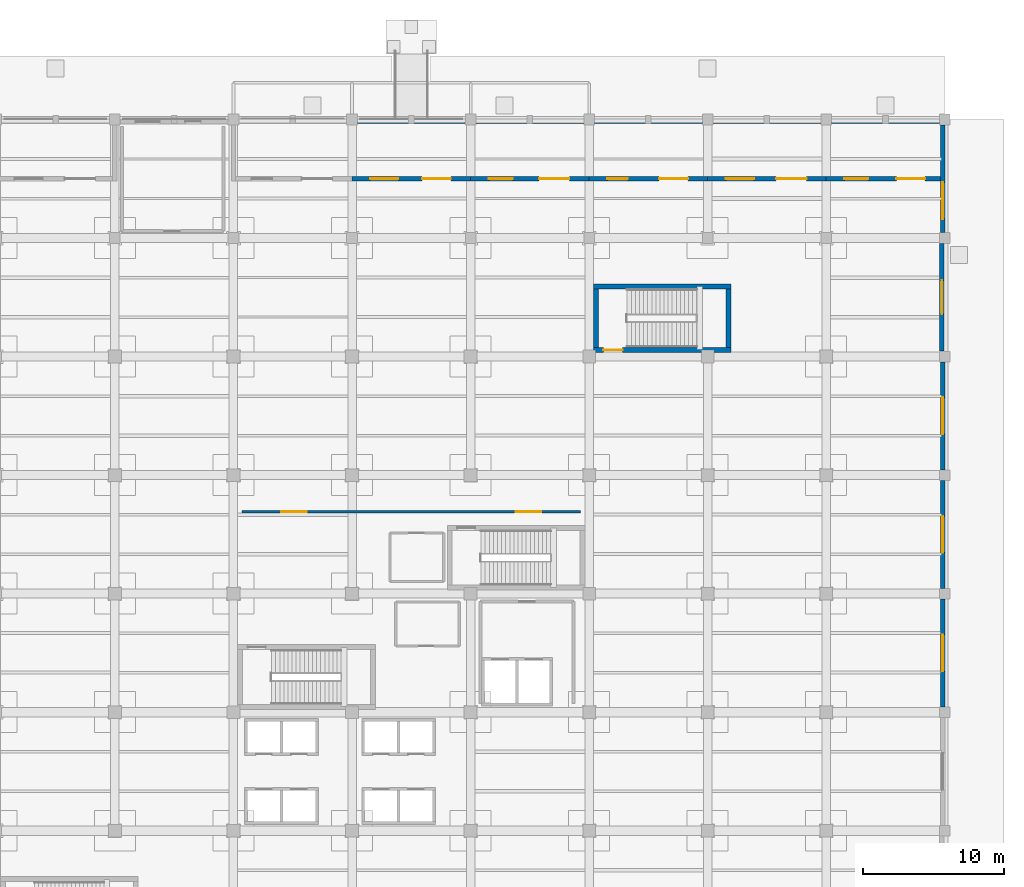
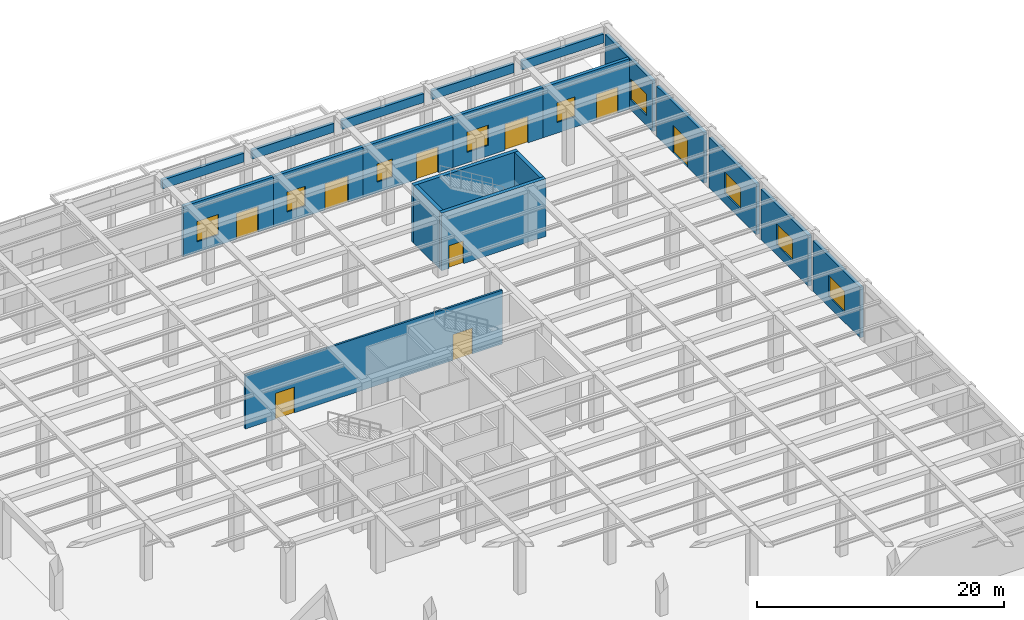
# One storey, part 31 of 43: 20 walls, 9 doors, 9 windows, 18 openings.
"""IFC4 building model written with IfcOpenShell, lengths in metres."""

from ifc_helpers import new_model, si_unit, direction, frame, frame_2d, origin, place, context, subcontext, project, spatial, rectangle, extrude, material, layer, layer_set, type_object, element, fill, save


model = new_model("IFC4")

# Units and contexts
model_context = context("Model", 3, precision=1e-05, world=origin(), true_north=direction((0.0, 1.0)))
body_context = subcontext(model_context, "Body", "Model", "MODEL_VIEW")
ifc_project = project(units=[si_unit("LENGTHUNIT", "METRE"), si_unit("AREAUNIT", "SQUARE_METRE"), si_unit("VOLUMEUNIT", "CUBIC_METRE"), si_unit("PLANEANGLEUNIT", "RADIAN"), si_unit("MASSUNIT", "GRAM", prefix="KILO")], contexts=[model_context])

# Site, building, storey
site_placement = place(None, origin())
site = spatial("IfcSite", under=ifc_project, at=site_placement, CompositionType="ELEMENT")
building_placement = place(site_placement, origin())
building = spatial("IfcBuilding", under=site, at=building_placement, Name="Almacenes y Pasaje Nevantli", CompositionType="ELEMENT")
storey_placement = place(building_placement, origin())
storey = spatial("IfcBuildingStorey", under=building, at=storey_placement, Name="L01", CompositionType="ELEMENT", Elevation=0.0)

# Wall, openings, doors
ifc_material_1 = material(Name="Insulated Double-Gypsum Fire Partition", Category="gypsum")
ifc_layer_1 = layer(ifc_material_1, 0.179931640625)
ifc_layer_set_1 = layer_set([ifc_layer_1], Name="Insulated Double-Gypsum Fire Partition")
wall_type_1 = type_object("IfcWallType", Name="WL-COMP-180", PredefinedType="PARTITIONING", material=ifc_layer_set_1)
wall_1_placement = place(storey_placement, frame((118.199951171875, 89.800048828125, 0.0), z_axis=(0.0, 0.0, 1.0), x_axis=(1.0, 0.0, 0.0)))
wall_1 = element("IfcWall", 1, at=wall_1_placement, inside=storey, type_object=wall_type_1, Name="L01 Interior Partition Wall IW-180 #46", PredefinedType="PARTITIONING", context=body_context, shape_type="SweptSolid", body=[
    extrude(rectangle(XDim=24.0, YDim=0.179931640625, at=frame_2d((12.0, 0.0))), origin(), (0.0, 0.0, 1.0), 5.320068359375),
])
opening_1_placement = place(wall_1_placement, frame((2.800048828125, 0.0, 0.0)))
opening_1 = element("IfcOpeningElement", 2, at=opening_1_placement, cuts=wall_1, Name="Opening ID-L01-019", PredefinedType="OPENING", context=body_context, shape_type="SweptSolid", body=[
    extrude(rectangle(XDim=1.800048828125, YDim=2.550048828125, at=frame_2d((0.89990234375, 1.27490234375))), frame((0.0, 0.099853515625, 0.0), z_axis=(0.0, -1.0, 0.0), x_axis=(1.0, 0.0, 0.0)), (0.0, 0.0, 1.0), 0.199951171875),
])
opening_2_placement = place(wall_1_placement, frame((19.39990234375, 0.0, 0.0)))
opening_2 = element("IfcOpeningElement", 3, at=opening_2_placement, cuts=wall_1, Name="Opening ID-L01-020", PredefinedType="OPENING", context=body_context, shape_type="SweptSolid", body=[
    extrude(rectangle(XDim=1.800048828125, YDim=2.550048828125, at=frame_2d((0.89990234375, 1.27490234375))), frame((0.0, 0.099853515625, 0.0), z_axis=(0.0, -1.0, 0.0), x_axis=(1.0, 0.0, 0.0)), (0.0, 0.0, 1.0), 0.199951171875),
])
ifc_material_2 = material(Name="Framed Tempered Safety Glass", Category="glass")
door_type_1 = type_object("IfcDoorType", Name="DR-GLZ-1800", OperationType="DOUBLE_DOOR_SINGLE_SWING", PredefinedType="DOOR", material=ifc_material_2)
door_1_placement = place(opening_1_placement, origin())
door_1 = element("IfcDoor", 4, at=door_1_placement, inside=storey, type_object=door_type_1, Name="L01 Tower Lobby Security Vestibule Door 1", OperationType="DOUBLE_DOOR_SINGLE_SWING", OverallHeight=2.550048828125, OverallWidth=1.800048828125, PredefinedType="DOOR", context=body_context, shape_type="SweptSolid", body=[
    extrude(rectangle(XDim=1.800048828125, YDim=2.550048828125, at=frame_2d((0.89990234375, 1.27490234375))), frame((0.0, 0.02490234375, 0.0), z_axis=(0.0, -1.0, 0.0), x_axis=(1.0, 0.0, 0.0)), (0.0, 0.0, 1.0), 0.050048828125),
])
fill(opening_1, door_1)
door_2_placement = place(opening_2_placement, origin())
door_2 = element("IfcDoor", 5, at=door_2_placement, inside=storey, type_object=door_type_1, Name="L01 Tower Lobby Security Vestibule Door 2", OperationType="DOUBLE_DOOR_SINGLE_SWING", OverallHeight=2.550048828125, OverallWidth=1.800048828125, PredefinedType="DOOR", context=body_context, shape_type="SweptSolid", body=[
    extrude(rectangle(XDim=1.800048828125, YDim=2.550048828125, at=frame_2d((0.89990234375, 1.27490234375))), frame((0.0, 0.02490234375, 0.0), z_axis=(0.0, -1.0, 0.0), x_axis=(1.0, 0.0, 0.0)), (0.0, 0.0, 1.0), 0.050048828125),
])
fill(opening_2, door_2)

# Wall, opening, door
ifc_material_3 = material(Name="Concrete C45/55", Category="concrete")
ifc_layer_2 = layer(ifc_material_3, 0.35009765625)
ifc_layer_set_2 = layer_set([ifc_layer_2], Name="Concrete C45/55")
wall_type_2 = type_object("IfcWallType", Name="WL-CORE-350", PredefinedType="SHEAR", material=ifc_layer_set_2)
wall_2_placement = place(storey_placement, frame((143.10009765625, 101.27490234375, 0.0), z_axis=(0.0, 0.0, 1.0), x_axis=(1.0, 0.0, 0.0)))
wall_2 = element("IfcWall", 6, at=wall_2_placement, inside=storey, type_object=wall_type_2, Name="L01 Exit Stair ST-07 South Core Shear Wall", PredefinedType="SHEAR", context=body_context, shape_type="SweptSolid", body=[
    extrude(rectangle(XDim=9.75, YDim=0.35009765625, at=frame_2d((4.875, 0.0))), origin(), (0.0, 0.0, 1.0), 5.699951171875),
])
opening_3_placement = place(wall_2_placement, frame((0.719970703125, 0.0, 0.0)))
opening_3 = element("IfcOpeningElement", 7, at=opening_3_placement, cuts=wall_2, Name="Opening SD-07-L01", PredefinedType="OPENING", context=body_context, shape_type="SweptSolid", body=[
    extrude(rectangle(XDim=1.35009765625, YDim=2.25, at=frame_2d((0.675048828125, 1.125))), frame((0.0, 0.18505859375, 0.0), z_axis=(0.0, -1.0, 0.0), x_axis=(1.0, 0.0, 0.0)), (0.0, 0.0, 1.0), 0.3701171875),
])
ifc_material_4 = material(Name="Galvanized Fire-Rated Steel", Category="steel")
door_type_2 = type_object("IfcDoorType", Name="DR-STAIR-1350", OperationType="SINGLE_SWING_LEFT", PredefinedType="DOOR", material=ifc_material_4)
door_3_placement = place(opening_3_placement, origin())
door_3 = element("IfcDoor", 8, at=door_3_placement, inside=storey, type_object=door_type_2, Name="L01 Smokeproof Exit Stair ST-07 Fire Door", OperationType="SINGLE_SWING_LEFT", OverallHeight=2.25, OverallWidth=1.35009765625, PredefinedType="DOOR", context=body_context, shape_type="SweptSolid", body=[
    extrude(rectangle(XDim=1.35009765625, YDim=2.25, at=frame_2d((0.675048828125, 1.125))), frame((0.0, 0.02490234375, 0.0), z_axis=(0.0, -1.0, 0.0), x_axis=(1.0, 0.0, 0.0)), (0.0, 0.0, 1.0), 0.050048828125),
])
fill(opening_3, door_3)

# Walls
wall_3_placement = place(storey_placement, frame((143.10009765625, 105.77490234375, 0.0), z_axis=(0.0, 0.0, 1.0), x_axis=(1.0, 0.0, 0.0)))
element("IfcWall", 9, at=wall_3_placement, inside=storey, type_object=wall_type_2, Name="L01 Exit Stair ST-07 North Core Shear Wall", PredefinedType="SHEAR", context=body_context, shape_type="SweptSolid", body=[
    extrude(rectangle(XDim=9.75, YDim=0.35009765625, at=frame_2d((4.875, 0.0))), origin(), (0.0, 0.0, 1.0), 5.699951171875),
])
for number, where, z_axis, x_axis, name in (
    (10, (143.27490234375, 101.449951171875, 0.0), (0.0, 0.0, 1.0), (0.0, 1.0, 0.0), "L01 Exit Stair ST-07 West Core Shear Wall"),
    (11, (152.675048828125, 101.449951171875, 0.0), (0.0, 0.0, 1.0), (0.0, 1.0, 0.0), "L01 Exit Stair ST-07 East Core Shear Wall"),
):
    element("IfcWall", number, at=place(storey_placement, frame(where, z_axis=z_axis, x_axis=x_axis)), inside=storey, type_object=wall_type_2, Name=name, PredefinedType="SHEAR", context=body_context, shape_type="SweptSolid", body=[
        extrude(rectangle(XDim=4.150146484375, YDim=0.35009765625, at=frame_2d((2.0751953125, 0.0))), origin(), (0.0, 0.0, 1.0), 5.699951171875),
    ])
ifc_material_5 = material(Name="Architectural Precast Concrete C35/45 Spandrel Wall", Category="concrete")
ifc_layer_3 = layer(ifc_material_5, 0.280029296875)
ifc_layer_set_3 = layer_set([ifc_layer_3], Name="Architectural Precast Concrete C35/45 Spandrel Wall")
wall_type_3 = type_object("IfcWallType", Name="WL-EXT-CANTERA-280", PredefinedType="SOLIDWALL", material=ifc_layer_set_3)
for number, where, z_axis, x_axis, name in (
    (12, (126.3779296875, 117.449951171875, 4.10009765625), (0.0, 0.0, 1.0), (1.0, 0.0, 0.0), "L01 Boulevard Portales Colonnade Spandrel Frieze Bay 16"),
    (13, (134.778076171875, 117.449951171875, 4.10009765625), (0.0, 0.0, 1.0), (1.0, 0.0, 0.0), "L01 Boulevard Portales Colonnade Spandrel Frieze Bay 17"),
    (14, (143.177978515625, 117.449951171875, 4.10009765625), (0.0, 0.0, 1.0), (1.0, 0.0, 0.0), "L01 Boulevard Portales Colonnade Spandrel Frieze Bay 18"),
    (15, (151.577880859375, 117.449951171875, 4.10009765625), (0.0, 0.0, 1.0), (1.0, 0.0, 0.0), "L01 Boulevard Portales Colonnade Spandrel Frieze Bay 19"),
    (16, (159.97802734375, 117.449951171875, 4.10009765625), (0.0, 0.0, 1.0), (1.0, 0.0, 0.0), "L01 Boulevard Portales Colonnade Spandrel Frieze Bay 20"),
):
    element("IfcWall", number, at=place(storey_placement, frame(where, z_axis=z_axis, x_axis=x_axis)), inside=storey, type_object=wall_type_3, Name=name, PredefinedType="SOLIDWALL", context=body_context, shape_type="SweptSolid", body=[
        extrude(rectangle(XDim=7.64404296875, YDim=0.280029296875, at=frame_2d((3.822021484375, 0.0))), origin(), (0.0, 0.0, 1.0), 0.8798828125),
    ])

# Wall, openings, door, window
ifc_material_6 = material(Name="Architectural Precast Concrete C35/45 Plinth Wall", Category="concrete")
ifc_layer_4 = layer(ifc_material_6, 0.31005859375)
ifc_layer_set_4 = layer_set([ifc_layer_4], Name="Architectural Precast Concrete C35/45 Plinth Wall")
wall_type_4 = type_object("IfcWallType", Name="WL-EXT-RECINTO-310", PredefinedType="SOLIDWALL", material=ifc_layer_set_4)
wall_4_placement = place(storey_placement, frame((126.0, 113.39990234375, 0.0), z_axis=(0.0, 0.0, 1.0), x_axis=(1.0, 0.0, 0.0)))
wall_4 = element("IfcWall", 17, at=wall_4_placement, inside=storey, type_object=wall_type_4, Name="L01 Boulevard Portales Storefront Wall Bay 16", PredefinedType="SOLIDWALL", context=body_context, shape_type="SweptSolid", body=[
    extrude(rectangle(XDim=8.39990234375, YDim=0.31005859375, at=frame_2d((4.199951171875, 0.0))), origin(), (0.0, 0.0, 1.0), 4.97998046875),
])
opening_4_placement = place(wall_4_placement, frame((1.2900390625, 0.0, 1.050048828125)))
opening_4 = element("IfcOpeningElement", 18, at=opening_4_placement, cuts=wall_4, Name="Opening WT-15-013", PredefinedType="OPENING", context=body_context, shape_type="SweptSolid", body=[
    extrude(rectangle(XDim=2.0, YDim=2.0, at=frame_2d((1.0, 1.0))), frame((0.0, 0.1650390625, 0.0), z_axis=(0.0, -1.0, 0.0), x_axis=(1.0, 0.0, 0.0)), (0.0, 0.0, 1.0), 0.330078125),
])
opening_5_placement = place(wall_4_placement, frame((4.969970703125, 0.0, 0.0)))
opening_5 = element("IfcOpeningElement", 19, at=opening_5_placement, cuts=wall_4, Name="Opening ED-L01-016", PredefinedType="OPENING", context=body_context, shape_type="SweptSolid", body=[
    extrude(rectangle(XDim=2.0400390625, YDim=2.550048828125, at=frame_2d((1.02001953125, 1.27490234375))), frame((0.0, 0.1650390625, 0.0), z_axis=(0.0, -1.0, 0.0), x_axis=(1.0, 0.0, 0.0)), (0.0, 0.0, 1.0), 0.330078125),
])
ifc_material_7 = material(Name="Anodized Aluminium and Safety Glass", Category="aluminium")
door_type_3 = type_object("IfcDoorType", Name="DR-EXT-DBL-2040", OperationType="DOUBLE_DOOR_SINGLE_SWING", PredefinedType="DOOR", material=ifc_material_7)
door_4_placement = place(opening_5_placement, origin())
door_4 = element("IfcDoor", 20, at=door_4_placement, inside=storey, type_object=door_type_3, Name="L01 Boulevard Portales Entrance Door Bay 16", OperationType="DOUBLE_DOOR_SINGLE_SWING", OverallHeight=2.550048828125, OverallWidth=2.0400390625, PredefinedType="DOOR", context=body_context, shape_type="SweptSolid", body=[
    extrude(rectangle(XDim=2.0400390625, YDim=2.550048828125, at=frame_2d((1.02001953125, 1.27490234375))), frame((0.0, 0.02490234375, 0.0), z_axis=(0.0, -1.0, 0.0), x_axis=(1.0, 0.0, 0.0)), (0.0, 0.0, 1.0), 0.050048828125),
])
fill(opening_5, door_4)
ifc_material_8 = material(Name="Thermally Broken Aluminium and Low-E Double Glazing", Category="aluminium")
window_type_1 = type_object("IfcWindowType", Name="WN-POD-2000x2000", PartitioningType="SINGLE_PANEL", PredefinedType="WINDOW", material=ifc_material_8)
window_1_placement = place(opening_4_placement, origin())
window_1 = element("IfcWindow", 21, at=window_1_placement, inside=storey, type_object=window_type_1, Name="L01 Exterior Window WT-15 #13", OverallHeight=2.0, OverallWidth=2.0, PartitioningType="SINGLE_PANEL", PredefinedType="WINDOW", context=body_context, shape_type="SweptSolid", body=[
    extrude(rectangle(XDim=2.0, YDim=2.0, at=frame_2d((1.0, 1.0))), frame((0.0, 0.030029296875, 0.0), z_axis=(0.0, -1.0, 0.0), x_axis=(1.0, 0.0, 0.0)), (0.0, 0.0, 1.0), 0.06005859375),
])
fill(opening_4, window_1)

wall_5_placement = place(storey_placement, frame((134.39990234375, 113.39990234375, 0.0), z_axis=(0.0, 0.0, 1.0), x_axis=(1.0, 0.0, 0.0)))
wall_5 = element("IfcWall", 22, at=wall_5_placement, inside=storey, type_object=wall_type_4, Name="L01 Boulevard Portales Storefront Wall Bay 17", PredefinedType="SOLIDWALL", context=body_context, shape_type="SweptSolid", body=[
    extrude(rectangle(XDim=8.400146484375, YDim=0.31005859375, at=frame_2d((4.2001953125, 0.0))), origin(), (0.0, 0.0, 1.0), 4.97998046875),
])
opening_6_placement = place(wall_5_placement, frame((1.2900390625, 0.0, 1.050048828125)))
opening_6 = element("IfcOpeningElement", 23, at=opening_6_placement, cuts=wall_5, Name="Opening WT-16-014", PredefinedType="OPENING", context=body_context, shape_type="SweptSolid", body=[
    extrude(rectangle(XDim=1.699951171875, YDim=1.949951171875, at=frame_2d((0.85009765625, 0.97509765625))), frame((0.0, 0.1650390625, 0.0), z_axis=(0.0, -1.0, 0.0), x_axis=(1.0, 0.0, 0.0)), (0.0, 0.0, 1.0), 0.330078125),
])
opening_7_placement = place(wall_5_placement, frame((4.85009765625, 0.0, 0.0)))
opening_7 = element("IfcOpeningElement", 24, at=opening_7_placement, cuts=wall_5, Name="Opening ED-L01-017", PredefinedType="OPENING", context=body_context, shape_type="SweptSolid", body=[
    extrude(rectangle(XDim=2.159912109375, YDim=2.60009765625, at=frame_2d((1.080078125, 1.300048828125))), frame((0.0, 0.1650390625, 0.0), z_axis=(0.0, -1.0, 0.0), x_axis=(1.0, 0.0, 0.0)), (0.0, 0.0, 1.0), 0.330078125),
])
ifc_material_9 = material(Name="Anodized Aluminium and Safety Glass", Category="aluminium")
door_type_4 = type_object("IfcDoorType", Name="DR-EXT-DBL-2160", OperationType="DOUBLE_DOOR_SINGLE_SWING", PredefinedType="DOOR", material=ifc_material_9)
door_5_placement = place(opening_7_placement, origin())
door_5 = element("IfcDoor", 25, at=door_5_placement, inside=storey, type_object=door_type_4, Name="L01 Boulevard Portales Entrance Door Bay 17", OperationType="DOUBLE_DOOR_SINGLE_SWING", OverallHeight=2.60009765625, OverallWidth=2.159912109375, PredefinedType="DOOR", context=body_context, shape_type="SweptSolid", body=[
    extrude(rectangle(XDim=2.159912109375, YDim=2.60009765625, at=frame_2d((1.080078125, 1.300048828125))), frame((0.0, 0.02490234375, 0.0), z_axis=(0.0, -1.0, 0.0), x_axis=(1.0, 0.0, 0.0)), (0.0, 0.0, 1.0), 0.050048828125),
])
fill(opening_7, door_5)
ifc_material_10 = material(Name="Thermally Broken Aluminium and Low-E Double Glazing", Category="aluminium")
window_type_2 = type_object("IfcWindowType", Name="WN-POD-1700x1950", PartitioningType="SINGLE_PANEL", PredefinedType="WINDOW", material=ifc_material_10)
window_2_placement = place(opening_6_placement, origin())
window_2 = element("IfcWindow", 26, at=window_2_placement, inside=storey, type_object=window_type_2, Name="L01 Exterior Window WT-16 #14", OverallHeight=1.949951171875, OverallWidth=1.699951171875, PartitioningType="SINGLE_PANEL", PredefinedType="WINDOW", context=body_context, shape_type="SweptSolid", body=[
    extrude(rectangle(XDim=1.699951171875, YDim=1.949951171875, at=frame_2d((0.85009765625, 0.97509765625))), frame((0.0, 0.030029296875, 0.0), z_axis=(0.0, -1.0, 0.0), x_axis=(1.0, 0.0, 0.0)), (0.0, 0.0, 1.0), 0.06005859375),
])
fill(opening_6, window_2)

wall_6_placement = place(storey_placement, frame((142.800048828125, 113.39990234375, 0.0), z_axis=(0.0, 0.0, 1.0), x_axis=(1.0, 0.0, 0.0)))
wall_6 = element("IfcWall", 27, at=wall_6_placement, inside=storey, type_object=wall_type_4, Name="L01 Boulevard Portales Storefront Wall Bay 18", PredefinedType="SOLIDWALL", context=body_context, shape_type="SweptSolid", body=[
    extrude(rectangle(XDim=8.39990234375, YDim=0.31005859375, at=frame_2d((4.199951171875, 0.0))), origin(), (0.0, 0.0, 1.0), 4.97998046875),
])
opening_8_placement = place(wall_6_placement, frame((1.2900390625, 0.0, 1.050048828125)))
opening_8 = element("IfcOpeningElement", 28, at=opening_8_placement, cuts=wall_6, Name="Opening WT-17-015", PredefinedType="OPENING", context=body_context, shape_type="SweptSolid", body=[
    extrude(rectangle(XDim=1.449951171875, YDim=1.800048828125, at=frame_2d((0.72509765625, 0.89990234375))), frame((0.0, 0.1650390625, 0.0), z_axis=(0.0, -1.0, 0.0), x_axis=(1.0, 0.0, 0.0)), (0.0, 0.0, 1.0), 0.330078125),
])
opening_9_placement = place(wall_6_placement, frame((4.969970703125, 0.0, 0.0)))
opening_9 = element("IfcOpeningElement", 29, at=opening_9_placement, cuts=wall_6, Name="Opening ED-L01-018", PredefinedType="OPENING", context=body_context, shape_type="SweptSolid", body=[
    extrude(rectangle(XDim=2.0400390625, YDim=2.550048828125, at=frame_2d((1.02001953125, 1.27490234375))), frame((0.0, 0.1650390625, 0.0), z_axis=(0.0, -1.0, 0.0), x_axis=(1.0, 0.0, 0.0)), (0.0, 0.0, 1.0), 0.330078125),
])
door_6_placement = place(opening_9_placement, origin())
door_6 = element("IfcDoor", 30, at=door_6_placement, inside=storey, type_object=door_type_3, Name="L01 Boulevard Portales Entrance Door Bay 18", OperationType="DOUBLE_DOOR_SINGLE_SWING", OverallHeight=2.550048828125, OverallWidth=2.0400390625, PredefinedType="DOOR", context=body_context, shape_type="SweptSolid", body=[
    extrude(rectangle(XDim=2.0400390625, YDim=2.550048828125, at=frame_2d((1.02001953125, 1.27490234375))), frame((0.0, 0.02490234375, 0.0), z_axis=(0.0, -1.0, 0.0), x_axis=(1.0, 0.0, 0.0)), (0.0, 0.0, 1.0), 0.050048828125),
])
fill(opening_9, door_6)
ifc_material_11 = material(Name="Thermally Broken Aluminium and Low-E Double Glazing", Category="aluminium")
window_type_3 = type_object("IfcWindowType", Name="WN-POD-1450x1800", PartitioningType="SINGLE_PANEL", PredefinedType="WINDOW", material=ifc_material_11)
window_3_placement = place(opening_8_placement, origin())
window_3 = element("IfcWindow", 31, at=window_3_placement, inside=storey, type_object=window_type_3, Name="L01 Exterior Window WT-17 #15", OverallHeight=1.800048828125, OverallWidth=1.449951171875, PartitioningType="SINGLE_PANEL", PredefinedType="WINDOW", context=body_context, shape_type="SweptSolid", body=[
    extrude(rectangle(XDim=1.449951171875, YDim=1.800048828125, at=frame_2d((0.72509765625, 0.89990234375))), frame((0.0, 0.030029296875, 0.0), z_axis=(0.0, -1.0, 0.0), x_axis=(1.0, 0.0, 0.0)), (0.0, 0.0, 1.0), 0.06005859375),
])
fill(opening_8, window_3)

wall_7_placement = place(storey_placement, frame((151.199951171875, 113.39990234375, 0.0), z_axis=(0.0, 0.0, 1.0), x_axis=(1.0, 0.0, 0.0)))
wall_7 = element("IfcWall", 32, at=wall_7_placement, inside=storey, type_object=wall_type_4, Name="L01 Boulevard Portales Storefront Wall Bay 19", PredefinedType="SOLIDWALL", context=body_context, shape_type="SweptSolid", body=[
    extrude(rectangle(XDim=8.400146484375, YDim=0.31005859375, at=frame_2d((4.2001953125, 0.0))), origin(), (0.0, 0.0, 1.0), 4.97998046875),
])
opening_10_placement = place(wall_7_placement, frame((1.2900390625, 0.0, 1.050048828125)))
opening_10 = element("IfcOpeningElement", 33, at=opening_10_placement, cuts=wall_7, Name="Opening WT-15-016", PredefinedType="OPENING", context=body_context, shape_type="SweptSolid", body=[
    extrude(rectangle(XDim=2.0, YDim=2.0, at=frame_2d((1.0, 1.0))), frame((0.0, 0.1650390625, 0.0), z_axis=(0.0, -1.0, 0.0), x_axis=(1.0, 0.0, 0.0)), (0.0, 0.0, 1.0), 0.330078125),
])
opening_11_placement = place(wall_7_placement, frame((4.85009765625, 0.0, 0.0)))
opening_11 = element("IfcOpeningElement", 34, at=opening_11_placement, cuts=wall_7, Name="Opening ED-L01-019", PredefinedType="OPENING", context=body_context, shape_type="SweptSolid", body=[
    extrude(rectangle(XDim=2.159912109375, YDim=2.60009765625, at=frame_2d((1.080078125, 1.300048828125))), frame((0.0, 0.1650390625, 0.0), z_axis=(0.0, -1.0, 0.0), x_axis=(1.0, 0.0, 0.0)), (0.0, 0.0, 1.0), 0.330078125),
])
door_7_placement = place(opening_11_placement, origin())
door_7 = element("IfcDoor", 35, at=door_7_placement, inside=storey, type_object=door_type_4, Name="L01 Boulevard Portales Entrance Door Bay 19", OperationType="DOUBLE_DOOR_SINGLE_SWING", OverallHeight=2.60009765625, OverallWidth=2.159912109375, PredefinedType="DOOR", context=body_context, shape_type="SweptSolid", body=[
    extrude(rectangle(XDim=2.159912109375, YDim=2.60009765625, at=frame_2d((1.080078125, 1.300048828125))), frame((0.0, 0.02490234375, 0.0), z_axis=(0.0, -1.0, 0.0), x_axis=(1.0, 0.0, 0.0)), (0.0, 0.0, 1.0), 0.050048828125),
])
fill(opening_11, door_7)
window_4_placement = place(opening_10_placement, origin())
window_4 = element("IfcWindow", 36, at=window_4_placement, inside=storey, type_object=window_type_1, Name="L01 Exterior Window WT-15 #16", OverallHeight=2.0, OverallWidth=2.0, PartitioningType="SINGLE_PANEL", PredefinedType="WINDOW", context=body_context, shape_type="SweptSolid", body=[
    extrude(rectangle(XDim=2.0, YDim=2.0, at=frame_2d((1.0, 1.0))), frame((0.0, 0.030029296875, 0.0), z_axis=(0.0, -1.0, 0.0), x_axis=(1.0, 0.0, 0.0)), (0.0, 0.0, 1.0), 0.06005859375),
])
fill(opening_10, window_4)

wall_8_placement = place(storey_placement, frame((159.60009765625, 113.39990234375, 0.0), z_axis=(0.0, 0.0, 1.0), x_axis=(1.0, 0.0, 0.0)))
wall_8 = element("IfcWall", 37, at=wall_8_placement, inside=storey, type_object=wall_type_4, Name="L01 Boulevard Portales Storefront Wall Bay 20", PredefinedType="SOLIDWALL", context=body_context, shape_type="SweptSolid", body=[
    extrude(rectangle(XDim=8.093017578125, YDim=0.31005859375, at=frame_2d((4.04638671875, 0.0))), origin(), (0.0, 0.0, 1.0), 4.97998046875),
])
opening_12_placement = place(wall_8_placement, frame((1.2900390625, 0.0, 1.050048828125)))
opening_12 = element("IfcOpeningElement", 38, at=opening_12_placement, cuts=wall_8, Name="Opening WT-16-017", PredefinedType="OPENING", context=body_context, shape_type="SweptSolid", body=[
    extrude(rectangle(XDim=1.699951171875, YDim=1.949951171875, at=frame_2d((0.85009765625, 0.97509765625))), frame((0.0, 0.1650390625, 0.0), z_axis=(0.0, -1.0, 0.0), x_axis=(1.0, 0.0, 0.0)), (0.0, 0.0, 1.0), 0.330078125),
])
opening_13_placement = place(wall_8_placement, frame((4.969970703125, 0.0, 0.0)))
opening_13 = element("IfcOpeningElement", 39, at=opening_13_placement, cuts=wall_8, Name="Opening ED-L01-020", PredefinedType="OPENING", context=body_context, shape_type="SweptSolid", body=[
    extrude(rectangle(XDim=2.0400390625, YDim=2.550048828125, at=frame_2d((1.02001953125, 1.27490234375))), frame((0.0, 0.1650390625, 0.0), z_axis=(0.0, -1.0, 0.0), x_axis=(1.0, 0.0, 0.0)), (0.0, 0.0, 1.0), 0.330078125),
])
door_8_placement = place(opening_13_placement, origin())
door_8 = element("IfcDoor", 40, at=door_8_placement, inside=storey, type_object=door_type_3, Name="L01 Boulevard Portales Entrance Door Bay 20", OperationType="DOUBLE_DOOR_SINGLE_SWING", OverallHeight=2.550048828125, OverallWidth=2.0400390625, PredefinedType="DOOR", context=body_context, shape_type="SweptSolid", body=[
    extrude(rectangle(XDim=2.0400390625, YDim=2.550048828125, at=frame_2d((1.02001953125, 1.27490234375))), frame((0.0, 0.02490234375, 0.0), z_axis=(0.0, -1.0, 0.0), x_axis=(1.0, 0.0, 0.0)), (0.0, 0.0, 1.0), 0.050048828125),
])
fill(opening_13, door_8)
window_5_placement = place(opening_12_placement, origin())
window_5 = element("IfcWindow", 41, at=window_5_placement, inside=storey, type_object=window_type_2, Name="L01 Exterior Window WT-16 #17", OverallHeight=1.949951171875, OverallWidth=1.699951171875, PartitioningType="SINGLE_PANEL", PredefinedType="WINDOW", context=body_context, shape_type="SweptSolid", body=[
    extrude(rectangle(XDim=1.699951171875, YDim=1.949951171875, at=frame_2d((0.85009765625, 0.97509765625))), frame((0.0, 0.030029296875, 0.0), z_axis=(0.0, -1.0, 0.0), x_axis=(1.0, 0.0, 0.0)), (0.0, 0.0, 1.0), 0.06005859375),
])
fill(opening_12, window_5)

# Wall, opening, window
wall_9_placement = place(storey_placement, frame((167.85009765625, 75.97802734375, 0.0), z_axis=(0.0, 0.0, 1.0), x_axis=(0.0, 1.0, 0.0)))
wall_9 = element("IfcWall", 42, at=wall_9_placement, inside=storey, type_object=wall_type_4, Name="L01 East Facade Wall Bay 10", PredefinedType="SOLIDWALL", context=body_context, shape_type="SweptSolid", body=[
    extrude(rectangle(XDim=7.64404296875, YDim=0.31005859375, at=frame_2d((3.822021484375, 0.0))), origin(), (0.0, 0.0, 1.0), 4.97998046875),
])
opening_14_placement = place(wall_9_placement, frame((2.52197265625, 0.0, 1.0)))
opening_14 = element("IfcOpeningElement", 43, at=opening_14_placement, cuts=wall_9, Name="Opening WT-13-040", PredefinedType="OPENING", context=body_context, shape_type="SweptSolid", body=[
    extrude(rectangle(XDim=2.60009765625, YDim=2.10009765625, at=frame_2d((1.300048828125, 1.050048828125))), frame((0.0, 0.1650390625, 0.0), z_axis=(0.0, -1.0, 0.0), x_axis=(1.0, 0.0, 0.0)), (0.0, 0.0, 1.0), 0.330078125),
])
ifc_material_12 = material(Name="Thermally Broken Aluminium and Low-E Double Glazing", Category="aluminium")
window_type_4 = type_object("IfcWindowType", Name="WN-POD-2600x2100", PartitioningType="SINGLE_PANEL", PredefinedType="WINDOW", material=ifc_material_12)
window_6_placement = place(opening_14_placement, origin())
window_6 = element("IfcWindow", 44, at=window_6_placement, inside=storey, type_object=window_type_4, Name="L01 Exterior Window WT-13 #40", OverallHeight=2.10009765625, OverallWidth=2.60009765625, PartitioningType="SINGLE_PANEL", PredefinedType="WINDOW", context=body_context, shape_type="SweptSolid", body=[
    extrude(rectangle(XDim=2.60009765625, YDim=2.10009765625, at=frame_2d((1.300048828125, 1.050048828125))), frame((0.0, 0.030029296875, 0.0), z_axis=(0.0, -1.0, 0.0), x_axis=(1.0, 0.0, 0.0)), (0.0, 0.0, 1.0), 0.06005859375),
])
fill(opening_14, window_6)

wall_10_placement = place(storey_placement, frame((167.85009765625, 84.3779296875, 0.0), z_axis=(0.0, 0.0, 1.0), x_axis=(0.0, 1.0, 0.0)))
wall_10 = element("IfcWall", 45, at=wall_10_placement, inside=storey, type_object=wall_type_4, Name="L01 East Facade Wall Bay 11", PredefinedType="SOLIDWALL", context=body_context, shape_type="SweptSolid", body=[
    extrude(rectangle(XDim=7.64404296875, YDim=0.31005859375, at=frame_2d((3.822021484375, 0.0))), origin(), (0.0, 0.0, 1.0), 4.97998046875),
])
opening_15_placement = place(wall_10_placement, frame((2.52197265625, 0.0, 1.0)))
opening_15 = element("IfcOpeningElement", 46, at=opening_15_placement, cuts=wall_10, Name="Opening WT-13-041", PredefinedType="OPENING", context=body_context, shape_type="SweptSolid", body=[
    extrude(rectangle(XDim=2.60009765625, YDim=2.10009765625, at=frame_2d((1.300048828125, 1.050048828125))), frame((0.0, 0.1650390625, 0.0), z_axis=(0.0, -1.0, 0.0), x_axis=(1.0, 0.0, 0.0)), (0.0, 0.0, 1.0), 0.330078125),
])
window_7_placement = place(opening_15_placement, origin())
window_7 = element("IfcWindow", 47, at=window_7_placement, inside=storey, type_object=window_type_4, Name="L01 Exterior Window WT-13 #41", OverallHeight=2.10009765625, OverallWidth=2.60009765625, PartitioningType="SINGLE_PANEL", PredefinedType="WINDOW", context=body_context, shape_type="SweptSolid", body=[
    extrude(rectangle(XDim=2.60009765625, YDim=2.10009765625, at=frame_2d((1.300048828125, 1.050048828125))), frame((0.0, 0.030029296875, 0.0), z_axis=(0.0, -1.0, 0.0), x_axis=(1.0, 0.0, 0.0)), (0.0, 0.0, 1.0), 0.06005859375),
])
fill(opening_15, window_7)

wall_11_placement = place(storey_placement, frame((167.85009765625, 92.778076171875, 0.0), z_axis=(0.0, 0.0, 1.0), x_axis=(0.0, 1.0, 0.0)))
wall_11 = element("IfcWall", 48, at=wall_11_placement, inside=storey, type_object=wall_type_4, Name="L01 East Facade Wall Bay 12", PredefinedType="SOLIDWALL", context=body_context, shape_type="SweptSolid", body=[
    extrude(rectangle(XDim=7.64404296875, YDim=0.31005859375, at=frame_2d((3.822021484375, 0.0))), origin(), (0.0, 0.0, 1.0), 4.97998046875),
])
opening_16_placement = place(wall_11_placement, frame((2.52197265625, 0.0, 1.0)))
opening_16 = element("IfcOpeningElement", 49, at=opening_16_placement, cuts=wall_11, Name="Opening WT-13-042", PredefinedType="OPENING", context=body_context, shape_type="SweptSolid", body=[
    extrude(rectangle(XDim=2.60009765625, YDim=2.10009765625, at=frame_2d((1.300048828125, 1.050048828125))), frame((0.0, 0.1650390625, 0.0), z_axis=(0.0, -1.0, 0.0), x_axis=(1.0, 0.0, 0.0)), (0.0, 0.0, 1.0), 0.330078125),
])
window_8_placement = place(opening_16_placement, origin())
window_8 = element("IfcWindow", 50, at=window_8_placement, inside=storey, type_object=window_type_4, Name="L01 Exterior Window WT-13 #42", OverallHeight=2.10009765625, OverallWidth=2.60009765625, PartitioningType="SINGLE_PANEL", PredefinedType="WINDOW", context=body_context, shape_type="SweptSolid", body=[
    extrude(rectangle(XDim=2.60009765625, YDim=2.10009765625, at=frame_2d((1.300048828125, 1.050048828125))), frame((0.0, 0.030029296875, 0.0), z_axis=(0.0, -1.0, 0.0), x_axis=(1.0, 0.0, 0.0)), (0.0, 0.0, 1.0), 0.06005859375),
])
fill(opening_16, window_8)

# Wall, opening, door
wall_12_placement = place(storey_placement, frame((167.800048828125, 101.177978515625, 0.0), z_axis=(0.0, 0.0, 1.0), x_axis=(0.0, 1.0, 0.0)))
wall_12 = element("IfcWall", 51, at=wall_12_placement, inside=storey, type_object=wall_type_4, Name="L01 East Avenue Entrance Wall Bay 13", PredefinedType="SOLIDWALL", context=body_context, shape_type="SweptSolid", body=[
    extrude(rectangle(XDim=7.64404296875, YDim=0.31005859375, at=frame_2d((3.822021484375, 0.0))), origin(), (0.0, 0.0, 1.0), 4.97998046875),
])
opening_17_placement = place(wall_12_placement, frame((2.6220703125, 0.0, 0.0)))
opening_17 = element("IfcOpeningElement", 52, at=opening_17_placement, cuts=wall_12, Name="Opening ED-L01-036", PredefinedType="OPENING", context=body_context, shape_type="SweptSolid", body=[
    extrude(rectangle(XDim=2.39990234375, YDim=2.699951171875, at=frame_2d((1.199951171875, 1.35009765625))), frame((0.0, 0.1650390625, 0.0), z_axis=(0.0, -1.0, 0.0), x_axis=(1.0, 0.0, 0.0)), (0.0, 0.0, 1.0), 0.330078125),
])
ifc_material_13 = material(Name="Anodized Aluminium and Safety Glass", Category="aluminium")
door_type_5 = type_object("IfcDoorType", Name="DR-EXT-DBL-2400", OperationType="DOUBLE_DOOR_SINGLE_SWING", PredefinedType="DOOR", material=ifc_material_13)
door_9_placement = place(opening_17_placement, origin())
door_9 = element("IfcDoor", 53, at=door_9_placement, inside=storey, type_object=door_type_5, Name="L01 East Avenue Entrance Door Bay 13", OperationType="DOUBLE_DOOR_SINGLE_SWING", OverallHeight=2.699951171875, OverallWidth=2.39990234375, PredefinedType="DOOR", context=body_context, shape_type="SweptSolid", body=[
    extrude(rectangle(XDim=2.39990234375, YDim=2.699951171875, at=frame_2d((1.199951171875, 1.35009765625))), frame((0.0, 0.02490234375, 0.0), z_axis=(0.0, -1.0, 0.0), x_axis=(1.0, 0.0, 0.0)), (0.0, 0.0, 1.0), 0.050048828125),
])
fill(opening_17, door_9)

# Wall, opening, window
wall_13_placement = place(storey_placement, frame((167.85009765625, 109.577880859375, 0.0), z_axis=(0.0, 0.0, 1.0), x_axis=(0.0, 1.0, 0.0)))
wall_13 = element("IfcWall", 54, at=wall_13_placement, inside=storey, type_object=wall_type_4, Name="L01 East Facade Wall Bay 14", PredefinedType="SOLIDWALL", context=body_context, shape_type="SweptSolid", body=[
    extrude(rectangle(XDim=7.64404296875, YDim=0.31005859375, at=frame_2d((3.822021484375, 0.0))), origin(), (0.0, 0.0, 1.0), 4.97998046875),
])
opening_18_placement = place(wall_13_placement, frame((0.9619140625, 0.0, 1.0)))
opening_18 = element("IfcOpeningElement", 55, at=opening_18_placement, cuts=wall_13, Name="Opening WT-13-043", PredefinedType="OPENING", context=body_context, shape_type="SweptSolid", body=[
    extrude(rectangle(XDim=2.60009765625, YDim=2.10009765625, at=frame_2d((1.300048828125, 1.050048828125))), frame((0.0, 0.1650390625, 0.0), z_axis=(0.0, -1.0, 0.0), x_axis=(1.0, 0.0, 0.0)), (0.0, 0.0, 1.0), 0.330078125),
])
window_9_placement = place(opening_18_placement, origin())
window_9 = element("IfcWindow", 56, at=window_9_placement, inside=storey, type_object=window_type_4, Name="L01 Exterior Window WT-13 #43", OverallHeight=2.10009765625, OverallWidth=2.60009765625, PartitioningType="SINGLE_PANEL", PredefinedType="WINDOW", context=body_context, shape_type="SweptSolid", body=[
    extrude(rectangle(XDim=2.60009765625, YDim=2.10009765625, at=frame_2d((1.300048828125, 1.050048828125))), frame((0.0, 0.030029296875, 0.0), z_axis=(0.0, -1.0, 0.0), x_axis=(1.0, 0.0, 0.0)), (0.0, 0.0, 1.0), 0.06005859375),
])
fill(opening_18, window_9)

save(model, "model.ifc")
